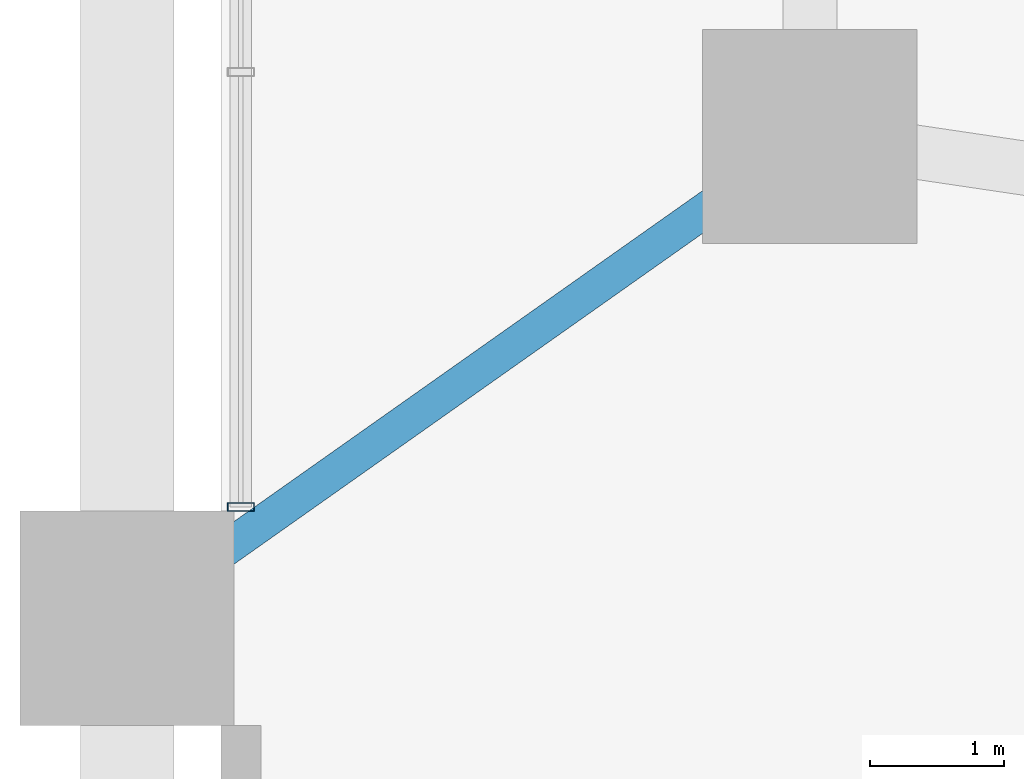
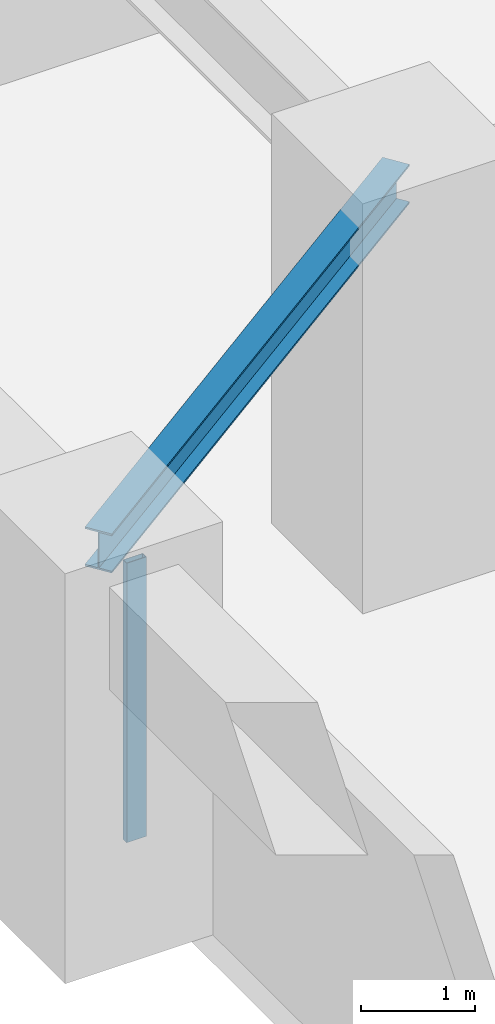
# One storey, part 2 of 16: 1 beam, 1 member, 1 element without a shape of its own.
"""IFC4 building model written with IfcOpenShell, lengths in metres."""

from ifc_helpers import new_model, si_unit, direction, frame, origin, origin_2d, place, context, subcontext, project, spatial, hollow_rectangle, i_section, extrude, source, transform, mapped, material, layer, layer_set, material_profile, profile_set, type_object, element, aggregate, save


model = new_model("IFC4")

# Units and contexts
model_context = context("Model", 3, precision=1e-05, world=origin(), true_north=direction((0.0, 1.0)))
body_context = subcontext(model_context, "Body", "Model", "MODEL_VIEW")
ifc_project = project(units=[si_unit("LENGTHUNIT", "METRE"), si_unit("AREAUNIT", "SQUARE_METRE"), si_unit("VOLUMEUNIT", "CUBIC_METRE"), si_unit("PLANEANGLEUNIT", "RADIAN"), si_unit("MASSUNIT", "GRAM", prefix="KILO")], contexts=[model_context])

# Site, building, storey
site_placement = place(None, origin())
site = spatial("IfcSite", under=ifc_project, at=site_placement, CompositionType="ELEMENT")
building_placement = place(site_placement, origin())
building = spatial("IfcBuilding", under=site, at=building_placement, Name="Veraguas Prism Commons", CompositionType="ELEMENT")
storey_placement = place(building_placement, frame((0.0, 0.0, 14.0)))
storey = spatial("IfcBuildingStorey", under=building, at=storey_placement, Name="L03", CompositionType="ELEMENT", Elevation=14.0)

# Beam
ifc_material_1 = material(Name="Steel ASTM A992 Grade 50", Category="steel")
ifc_material_profile_1 = material_profile(ifc_material_1, i_section(OverallWidth=0.260986328125, OverallDepth=0.419921875, WebThickness=0.01171875, FlangeThickness=0.019287109375, at=origin_2d()), Name="W410X114")
ifc_profile_set_1 = profile_set([ifc_material_profile_1], Name="Steel ASTM A992 Grade 50")
beam_type = type_object("IfcBeamType", Name="Lower Floor Joist W410x114", PredefinedType="JOIST", material=ifc_profile_set_1)
beam_placement = place(storey_placement, frame((6.39990234375, 18.60009765625, 3.889892578125), z_axis=(-0.816952688962, -0.576704693927, 0.0), x_axis=(0.576704693927, -0.816952688962, 0.0)))
element("IfcBeam", 1, at=beam_placement, inside=storey, type_object=beam_type, Name="Podium Tie Beam L03-TMT06", PredefinedType="JOIST", context=body_context, shape_type="SweptSolid", body=[
    extrude(i_section(OverallWidth=0.260986328125, OverallDepth=0.419921875, WebThickness=0.01171875, FlangeThickness=0.019287109375, at=origin_2d()), origin(), (0.0, 0.0, 1.0), 6.242431640625),
])

# Curtain wall, member
ifc_material_2 = material(Name="Anodised aluminium EN AW-6063 T6", Category="aluminium")
ifc_layer = layer(ifc_material_2, 0.199951171875, Name="Metro Concourse Structural Glazing", Category="aluminium")
ifc_layer_set = layer_set([ifc_layer], Name="Anodised aluminium EN AW-6063 T6")
curtain_wall_type = type_object("IfcCurtainWallType", Name="Metro Concourse Structural Glazing", PredefinedType="NOTDEFINED", material=ifc_layer_set)
curtain_wall_placement = place(storey_placement, origin())
curtain_wall = element("IfcCurtainWall", 2, at=curtain_wall_placement, inside=storey, type_object=curtain_wall_type, Name="Via Espana Metro Concourse Curtain Wall L03-W02", PredefinedType="NOTDEFINED")
ifc_material_profile_2 = material_profile(ifc_material_2, hollow_rectangle(XDim=0.06494140625, YDim=0.199951171875, WallThickness=0.00390625, at=origin_2d()), Name="AL65X200X4")
ifc_profile_set_2 = profile_set([ifc_material_profile_2], Name="Anodised aluminium EN AW-6063 T6")
member_type = type_object("IfcMemberType", Name="Curtain Wall Mullion Heavy AL 65x200x4", PredefinedType="MULLION", material=ifc_profile_set_2)
shared_shape = source(origin(), body_context, "Body", "SweptSolid", [
    extrude(hollow_rectangle(XDim=0.06494140625, YDim=0.199951171875, WallThickness=0.00390625, at=origin_2d()), origin(), (0.0, 0.0, 1.0), 3.0),
])
member_placement = place(storey_placement, frame((2.14990234375, 15.83251953125, 0.0), z_axis=(0.0, 0.0, 1.0), x_axis=(0.0, -1.0, 0.0)))
member = element("IfcMember", 3, at=member_placement, type_object=member_type, Name="CW-STN Mullion 6", PredefinedType="MULLION", context=body_context, shape_type="MappedRepresentation", body=[
    mapped(shared_shape, transform((0.0, 0.0, 0.0), scale=1.0)),
])
aggregate(curtain_wall, [member])

save(model, "model.ifc")
